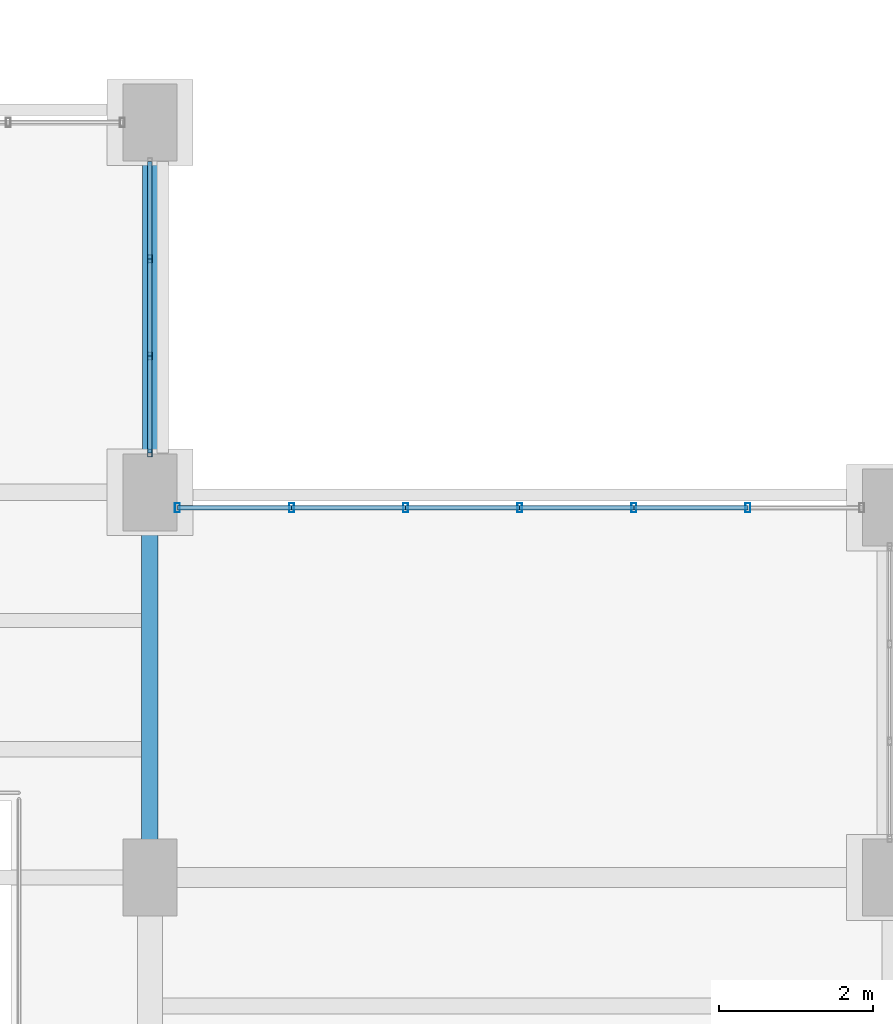
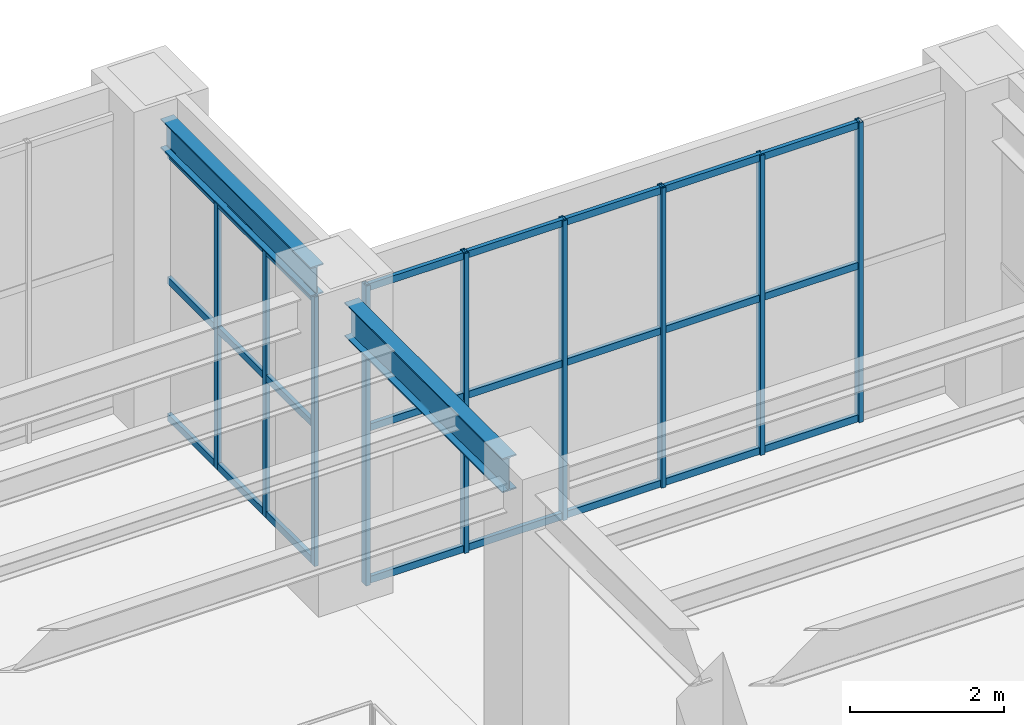
# One storey, part 114 of 174: 33 members, 2 beams, 2 elements without a shape of their own.
"""IFC4 building model written with IfcOpenShell, lengths in metres."""

import ifcopenshell
import ifcopenshell.guid

model = None  # the IFC model being written
_history = None  # IfcOwnerHistory: only IFC2X3 demands one
_inside = {}  # id of a spatial element -> (the spatial element, [elements in it])
_under = {}  # id of a project, library or spatial element -> (it, [spatial elements below it])
_declared = {}  # id of a project -> (the project, [libraries it declares])
_typed = {}  # id of a type object -> (the type object, [elements of that type])
_made_of = {}  # id of a material, layer set ... -> (it, [elements and type objects made of it])


def new_model(schema):
    """Start an empty IFC model of exactly this schema.

    Asked for "IFC4X3", IfcOpenShell would pick the latest addendum, in which some entities
    have other attributes; the version numbers below select the first issue.
    IFC2X3 requires an IfcOwnerHistory on every rooted entity: one is made here for all.
    """
    global model, _history
    if schema == "IFC4X3":
        model = ifcopenshell.file(schema_version=(4, 3, 0, 0))
    else:
        model = ifcopenshell.file(schema=schema)
    _inside.clear()
    _under.clear()
    _declared.clear()
    _typed.clear()
    _made_of.clear()
    _history = None
    if model.schema == "IFC2X3":
        org = make("IfcOrganization", Name="unknown")
        user = make(
            "IfcPersonAndOrganization",
            ThePerson=make("IfcPerson", FamilyName="unknown"),
            TheOrganization=org,
        )
        app = make(
            "IfcApplication",
            ApplicationDeveloper=org,
            Version="unknown",
            ApplicationFullName="unknown",
            ApplicationIdentifier="unknown",
        )
        _history = make(
            "IfcOwnerHistory",
            OwningUser=user,
            OwningApplication=app,
            ChangeAction="ADDED",
            CreationDate=0,
        )
    return model


def make(cls, **values):
    """One entity of the class cls with the attributes given. An attribute that is None is left unset."""
    return model.create_entity(
        cls, **{name: value for name, value in values.items() if value is not None}
    )


def rooted(cls, **values):
    """An entity with a GlobalId (a new one), such as an element, a storey or a relation."""
    return make(cls, GlobalId=ifcopenshell.guid.new(), OwnerHistory=_history, **values)


def si_unit(unit_type, name, prefix=None):
    """IfcSIUnit, for example si_unit("LENGTHUNIT", "METRE", prefix="MILLI")."""
    return make("IfcSIUnit", UnitType=unit_type, Prefix=prefix, Name=name)


def assignment(units):
    """IfcUnitAssignment: the units of a project."""
    return None if units is None else make("IfcUnitAssignment", Units=units)


def point(xyz):
    """IfcCartesianPoint."""
    return None if xyz is None else make("IfcCartesianPoint", Coordinates=xyz)


def direction(xyz):
    """IfcDirection."""
    return None if xyz is None else make("IfcDirection", DirectionRatios=xyz)


def frame(location, z_axis=None, x_axis=None):
    """IfcAxis2Placement3D, a coordinate frame: its origin and axes. An axis left out is left unset."""
    return make(
        "IfcAxis2Placement3D",
        Location=point(location),
        Axis=direction(z_axis),
        RefDirection=direction(x_axis),
    )


def frame_2d(location, x_axis=None):
    """IfcAxis2Placement2D, a coordinate frame in the plane: its origin and x axis."""
    return make(
        "IfcAxis2Placement2D", Location=point(location), RefDirection=direction(x_axis)
    )


def origin():
    """The frame at (0, 0, 0) with its axes left unset."""
    return frame((0.0, 0.0, 0.0))


def origin_2d():
    """The frame at (0, 0) in the plane with its x axis left unset."""
    return frame_2d((0.0, 0.0))


def place(relative_to, where):
    """IfcLocalPlacement: puts the frame where relative to a parent placement (None: the world)."""
    return make(
        "IfcLocalPlacement", PlacementRelTo=relative_to, RelativePlacement=where
    )


def context(
    kind, dimensions, precision=None, world=None, true_north=None, identifier=None
):
    """IfcGeometricRepresentationContext, for example the 3D "Model" context."""
    return make(
        "IfcGeometricRepresentationContext",
        ContextIdentifier=identifier,
        ContextType=kind,
        CoordinateSpaceDimension=dimensions,
        Precision=precision,
        WorldCoordinateSystem=world,
        TrueNorth=true_north,
    )


def subcontext(parent, identifier, kind, view, scale=None):
    """IfcGeometricRepresentationSubContext, for example "Body" below "Model"."""
    return make(
        "IfcGeometricRepresentationSubContext",
        ContextIdentifier=identifier,
        ContextType=kind,
        ParentContext=parent,
        TargetScale=scale,
        TargetView=view,
    )


def project(units=None, contexts=None):
    """IfcProject with its units and contexts."""
    return rooted(
        "IfcProject",
        Name="project",
        RepresentationContexts=contexts,
        UnitsInContext=assignment(units),
    )


def spatial(cls, under=None, at=None, **own):
    """A site, building, storey or space (cls), placed at a placement, below another one or the project."""
    s = rooted(cls, ObjectPlacement=at, **own)
    if under is not None:
        _under.setdefault(under.id(), (under, []))[1].append(s)
    return s


def profile(cls, at=None, kind="AREA", **sizes):
    """A parametric profile (cls). Its sizes go by their IFC names, for example OverallWidth=200.0."""
    return make(cls, ProfileType=kind, Position=at, **sizes)


def hollow_rectangle(**sizes):
    """IfcRectangleHollowProfileDef."""
    return profile("IfcRectangleHollowProfileDef", **sizes)


def i_section(**sizes):
    """IfcIShapeProfileDef."""
    return profile("IfcIShapeProfileDef", **sizes)


def extrude(swept, where, along, depth):
    """IfcExtrudedAreaSolid: the profile swept, set in the frame where, extruded along a direction by depth."""
    return make(
        "IfcExtrudedAreaSolid",
        SweptArea=swept,
        Position=where,
        ExtrudedDirection=direction(along),
        Depth=depth,
    )


def shape(context_of_items, identifier, shape_type, items):
    """IfcShapeRepresentation: the items that make up one representation, for example the "Body"."""
    return make(
        "IfcShapeRepresentation",
        ContextOfItems=context_of_items,
        RepresentationIdentifier=identifier,
        RepresentationType=shape_type,
        Items=items,
    )


def material(Name=None, Category=None):
    """IfcMaterial."""
    return make("IfcMaterial", Name=Name, Category=Category)


def material_profile(
    of_material, cross_section, Name=None, Category=None, Priority=None
):
    """IfcMaterialProfile: a cross section and its material."""
    return make(
        "IfcMaterialProfile",
        Name=Name,
        Material=of_material,
        Profile=cross_section,
        Priority=Priority,
        Category=Category,
    )


def profile_set(profiles, Name=None, composite=None):
    """IfcMaterialProfileSet."""
    return make(
        "IfcMaterialProfileSet",
        Name=Name,
        MaterialProfiles=profiles,
        CompositeProfile=composite,
    )


def made_of(thing, what):
    """Note that an element or type object is made of a material, layer set ...; save() writes the relation."""
    if what is not None:
        _made_of.setdefault(what.id(), (what, []))[1].append(thing)
    return thing


def type_object(cls, material=None, **own):
    """A type object (cls), such as IfcWallType, which elements share."""
    return made_of(rooted(cls, **own), material)


def element(
    cls,
    number,
    at=None,
    inside=None,
    cuts=None,
    type_object=None,
    material=None,
    context=None,
    identifier="Body",
    shape_type=None,
    held_by="IfcProductDefinitionShape",
    body=None,
    shapes=None,
    **own,
):
    """One element of the class cls, such as IfcWall. Its Tag is "e" and its number.

    at: its placement. inside: the storey or other place that contains it. cuts: it is an
    opening in that element (IfcRelVoidsElement). A single representation is given by context,
    identifier, shape_type and body (its items); several are given by shapes. held_by: the class
    of the entity that holds the representations. save() writes the other relations.
    """
    e = rooted(cls, Tag="e%d" % number, ObjectPlacement=at, **own)
    if body is not None:
        shapes = [shape(context, identifier, shape_type, body)]
    if shapes is not None:
        e.Representation = make(held_by, Representations=shapes)
    if inside is not None:
        _inside.setdefault(inside.id(), (inside, []))[1].append(e)
    if cuts is not None:
        rooted(
            "IfcRelVoidsElement", RelatingBuildingElement=cuts, RelatedOpeningElement=e
        )
    if type_object is not None:
        _typed.setdefault(type_object.id(), (type_object, []))[1].append(e)
    return made_of(e, material)


def aggregate(whole, parts):
    """IfcRelAggregates: a whole, such as a stair, and the parts it consists of."""
    return rooted("IfcRelAggregates", RelatingObject=whole, RelatedObjects=parts)


def save(model, path):
    """Write the relations noted so far, then the file.

    IfcRelAggregates (storeys below a building ...), IfcRelContainedInSpatialStructure (elements
    in a storey), IfcRelDefinesByType, IfcRelAssociatesMaterial and IfcRelDeclares: one each for
    every whole, place, type object, material and project.
    """
    for whole, parts in _under.values():
        aggregate(whole, parts)
    for where, things in _inside.values():
        rooted(
            "IfcRelContainedInSpatialStructure",
            RelatedElements=things,
            RelatingStructure=where,
        )
    for kind, things in _typed.values():
        rooted("IfcRelDefinesByType", RelatedObjects=things, RelatingType=kind)
    for what, things in _made_of.values():
        rooted("IfcRelAssociatesMaterial", RelatedObjects=things, RelatingMaterial=what)
    for by, libraries in _declared.values():
        rooted("IfcRelDeclares", RelatingContext=by, RelatedDefinitions=libraries)
    model.write(path)


model = new_model("IFC4")

# Units and contexts
model_context = context("Model", 3, precision=1e-05, world=origin(), true_north=direction((0.0, 1.0)))
body_context = subcontext(model_context, "Body", "Model", "MODEL_VIEW")
ifc_project = project(units=[si_unit("LENGTHUNIT", "METRE"), si_unit("AREAUNIT", "SQUARE_METRE"), si_unit("VOLUMEUNIT", "CUBIC_METRE"), si_unit("PLANEANGLEUNIT", "RADIAN"), si_unit("MASSUNIT", "GRAM", prefix="KILO")], contexts=[model_context])

# Site, building, storey
site_placement = place(None, origin())
site = spatial("IfcSite", under=ifc_project, at=site_placement, CompositionType="ELEMENT")
building_placement = place(site_placement, origin())
building = spatial("IfcBuilding", under=site, at=building_placement, Name="Mavantir Sound Aquarium", CompositionType="ELEMENT")
storey_placement = place(building_placement, frame((0.0, 0.0, 5.39990234375)))
storey = spatial("IfcBuildingStorey", under=building, at=storey_placement, Name="L01", CompositionType="ELEMENT", Elevation=5.39990234375)

# Beams
ifc_material_1 = material(Name="Structural Steel ASTM A992 Gr50", Category="steel")
ifc_material_profile_1 = material_profile(ifc_material_1, i_section(OverallWidth=0.194091796875, OverallDepth=0.468994140625, WebThickness=0.0126953125, FlangeThickness=0.0205078125, FilletRadius=0.01611328125, at=origin_2d()), Name="W460X106")
ifc_profile_set_1 = profile_set([ifc_material_profile_1], Name="Structural Steel ASTM A992 Gr50")
beam_type_1 = type_object("IfcBeamType", Name="BM-W460X106-I", PredefinedType="BEAM", material=ifc_profile_set_1)
beam_1_placement = place(storey_placement, frame((146.39990234375, 76.25, 4.54150390625), z_axis=(0.0, 1.0, 0.0), x_axis=(-1.0, 0.0, 0.0)))
element("IfcBeam", 1, at=beam_1_placement, inside=storey, type_object=beam_type_1, Name="L01 primary girder SB-46 1338", PredefinedType="BEAM", context=body_context, shape_type="SweptSolid", body=[
    extrude(i_section(OverallWidth=0.194091796875, OverallDepth=0.468994140625, WebThickness=0.0126953125, FlangeThickness=0.0205078125, FilletRadius=0.01611328125, at=origin_2d()), origin(), (0.0, 0.0, 1.0), 3.89990234375),
])
ifc_material_profile_2 = material_profile(ifc_material_1, i_section(OverallWidth=0.2119140625, OverallDepth=0.5439453125, WebThickness=0.01318359375, FlangeThickness=0.021240234375, FilletRadius=0.01806640625, at=origin_2d()), Name="W530X123")
ifc_profile_set_2 = profile_set([ifc_material_profile_2], Name="Structural Steel ASTM A992 Gr50")
beam_type_2 = type_object("IfcBeamType", Name="BM-W530X123-I", PredefinedType="BEAM", material=ifc_profile_set_2)
beam_2_placement = place(storey_placement, frame((146.39990234375, 71.25, 4.504150390625), z_axis=(0.0, 1.0, 0.0), x_axis=(-1.0, 0.0, 0.0)))
element("IfcBeam", 2, at=beam_2_placement, inside=storey, type_object=beam_type_2, Name="L01 primary girder SB-53 1337", PredefinedType="BEAM", context=body_context, shape_type="SweptSolid", body=[
    extrude(i_section(OverallWidth=0.2119140625, OverallDepth=0.5439453125, WebThickness=0.01318359375, FlangeThickness=0.021240234375, FilletRadius=0.01806640625, at=origin_2d()), origin(), (0.0, 0.0, 1.0), 4.10009765625),
])

# Curtain wall, members
ifc_material_2 = material(Name="Anodised Marine Aluminium and Low-E Glass", Category="aluminium")
curtain_wall_type_1 = type_object("IfcCurtainWallType", Name="CW-T09", PredefinedType="USERDEFINED", material=ifc_material_2)
curtain_wall_1_placement = place(storey_placement, origin())
curtain_wall_1 = element("IfcCurtainWall", 3, at=curtain_wall_1_placement, inside=storey, type_object=curtain_wall_type_1, Name="L01 unitised curtain wall CW-09 81", ObjectType="UNITISED GLAZING", PredefinedType="USERDEFINED")
ifc_material_3 = material(Name="Anodised Marine Aluminium 6063-T6", Category="aluminium")
ifc_material_profile_3 = material_profile(ifc_material_3, hollow_rectangle(XDim=0.06005859375, YDim=0.10009765625, WallThickness=0.00390625, at=origin_2d()), Name="ALU-MULLION-100X60")
ifc_profile_set_3 = profile_set([ifc_material_profile_3], Name="Anodised Marine Aluminium 6063-T6")
member_type_1 = type_object("IfcMemberType", Name="CW-MUL-100", PredefinedType="MULLION", material=ifc_profile_set_3)
member_1_placement = place(storey_placement, frame((146.39990234375, 76.30810546875, 0.0), z_axis=(0.0, 0.0, 1.0), x_axis=(1.0, 0.0, 0.0)))
member_1 = element("IfcMember", 4, at=member_1_placement, type_object=member_type_1, Name="CW-L01-081 vertical mullion 1", PredefinedType="MULLION", context=body_context, shape_type="SweptSolid", body=[
    extrude(hollow_rectangle(XDim=0.06005859375, YDim=0.10009765625, WallThickness=0.00390625, at=origin_2d()), origin(), (0.0, 0.0, 1.0), 4.277099609375),
])
member_2_placement = place(storey_placement, frame((146.39990234375, 77.5693359375, 0.0), z_axis=(0.0, 0.0, 1.0), x_axis=(1.0, 0.0, 0.0)))
member_2 = element("IfcMember", 5, at=member_2_placement, type_object=member_type_1, Name="CW-L01-081 vertical mullion 2", PredefinedType="MULLION", context=body_context, shape_type="SweptSolid", body=[
    extrude(hollow_rectangle(XDim=0.06005859375, YDim=0.10009765625, WallThickness=0.00390625, at=origin_2d()), origin(), (0.0, 0.0, 1.0), 4.277099609375),
])
member_3_placement = place(storey_placement, frame((146.39990234375, 78.830810546875, 0.0), z_axis=(0.0, 0.0, 1.0), x_axis=(1.0, 0.0, 0.0)))
member_3 = element("IfcMember", 6, at=member_3_placement, type_object=member_type_1, Name="CW-L01-081 vertical mullion 3", PredefinedType="MULLION", context=body_context, shape_type="SweptSolid", body=[
    extrude(hollow_rectangle(XDim=0.06005859375, YDim=0.10009765625, WallThickness=0.00390625, at=origin_2d()), origin(), (0.0, 0.0, 1.0), 4.277099609375),
])

curtain_wall_type_2 = type_object("IfcCurtainWallType", Name="CW-T16", PredefinedType="USERDEFINED", material=ifc_material_2)
curtain_wall_2_placement = place(storey_placement, origin())
curtain_wall_2 = element("IfcCurtainWall", 7, at=curtain_wall_2_placement, inside=storey, type_object=curtain_wall_type_2, Name="L01 unitised curtain wall CW-16 112", ObjectType="UNITISED GLAZING", PredefinedType="USERDEFINED")
ifc_material_profile_4 = material_profile(ifc_material_3, hollow_rectangle(XDim=0.06494140625, YDim=0.1201171875, WallThickness=0.00390625, at=origin_2d()), Name="ALU-MULLION-120X65")
ifc_profile_set_4 = profile_set([ifc_material_profile_4], Name="Anodised Marine Aluminium 6063-T6")
member_type_2 = type_object("IfcMemberType", Name="CW-MUL-120", PredefinedType="MULLION", material=ifc_profile_set_4)
member_4_placement = place(storey_placement, frame((154.161376953125, 75.60009765625, 0.0), z_axis=(0.0, 0.0, 1.0), x_axis=(1.0, 0.0, 0.0)))
member_4 = element("IfcMember", 8, at=member_4_placement, type_object=member_type_2, Name="CW-L01-112 vertical mullion 2", PredefinedType="MULLION", context=body_context, shape_type="SweptSolid", body=[
    extrude(hollow_rectangle(XDim=0.06494140625, YDim=0.1201171875, WallThickness=0.00390625, at=origin_2d()), origin(), (0.0, 0.0, 1.0), 4.760009765625),
])
member_5_placement = place(storey_placement, frame((152.6806640625, 75.60009765625, 0.0), z_axis=(0.0, 0.0, 1.0), x_axis=(1.0, 0.0, 0.0)))
member_5 = element("IfcMember", 9, at=member_5_placement, type_object=member_type_2, Name="CW-L01-112 vertical mullion 3", PredefinedType="MULLION", context=body_context, shape_type="SweptSolid", body=[
    extrude(hollow_rectangle(XDim=0.06494140625, YDim=0.1201171875, WallThickness=0.00390625, at=origin_2d()), origin(), (0.0, 0.0, 1.0), 4.760009765625),
])
member_6_placement = place(storey_placement, frame((151.199951171875, 75.60009765625, 0.0), z_axis=(0.0, 0.0, 1.0), x_axis=(1.0, 0.0, 0.0)))
member_6 = element("IfcMember", 10, at=member_6_placement, type_object=member_type_2, Name="CW-L01-112 vertical mullion 4", PredefinedType="MULLION", context=body_context, shape_type="SweptSolid", body=[
    extrude(hollow_rectangle(XDim=0.06494140625, YDim=0.1201171875, WallThickness=0.00390625, at=origin_2d()), origin(), (0.0, 0.0, 1.0), 4.760009765625),
])
member_7_placement = place(storey_placement, frame((149.71923828125, 75.60009765625, 0.0), z_axis=(0.0, 0.0, 1.0), x_axis=(1.0, 0.0, 0.0)))
member_7 = element("IfcMember", 11, at=member_7_placement, type_object=member_type_2, Name="CW-L01-112 vertical mullion 5", PredefinedType="MULLION", context=body_context, shape_type="SweptSolid", body=[
    extrude(hollow_rectangle(XDim=0.06494140625, YDim=0.1201171875, WallThickness=0.00390625, at=origin_2d()), origin(), (0.0, 0.0, 1.0), 4.760009765625),
])
member_8_placement = place(storey_placement, frame((148.23876953125, 75.60009765625, 0.0), z_axis=(0.0, 0.0, 1.0), x_axis=(1.0, 0.0, 0.0)))
member_8 = element("IfcMember", 12, at=member_8_placement, type_object=member_type_2, Name="CW-L01-112 vertical mullion 6", PredefinedType="MULLION", context=body_context, shape_type="SweptSolid", body=[
    extrude(hollow_rectangle(XDim=0.06494140625, YDim=0.1201171875, WallThickness=0.00390625, at=origin_2d()), origin(), (0.0, 0.0, 1.0), 4.760009765625),
])
member_9_placement = place(storey_placement, frame((146.758056640625, 75.60009765625, 0.0), z_axis=(0.0, 0.0, 1.0), x_axis=(1.0, 0.0, 0.0)))
member_9 = element("IfcMember", 13, at=member_9_placement, type_object=member_type_2, Name="CW-L01-112 vertical mullion 7", PredefinedType="MULLION", context=body_context, shape_type="SweptSolid", body=[
    extrude(hollow_rectangle(XDim=0.06494140625, YDim=0.1201171875, WallThickness=0.00390625, at=origin_2d()), origin(), (0.0, 0.0, 1.0), 4.760009765625),
])

# Member
ifc_material_profile_5 = material_profile(ifc_material_3, hollow_rectangle(XDim=0.06005859375, YDim=0.110107421875, WallThickness=0.00390625, at=origin_2d()), Name="ALU-TRANSOM-110X60")
ifc_profile_set_5 = profile_set([ifc_material_profile_5], Name="Anodised Marine Aluminium 6063-T6")
member_type_3 = type_object("IfcMemberType", Name="CW-TRN-110", PredefinedType="USERDEFINED", material=ifc_profile_set_5)
member_10_placement = place(storey_placement, frame((146.39990234375, 76.30810546875, 0.05517578125), z_axis=(0.0, 1.0, 0.0), x_axis=(-1.0, 0.0, 0.0)))
member_10 = element("IfcMember", 14, at=member_10_placement, type_object=member_type_3, Name="CW-L01-081 transom 1.1", ObjectType="TRANSOM", PredefinedType="USERDEFINED", context=body_context, shape_type="SweptSolid", body=[
    extrude(hollow_rectangle(XDim=0.06005859375, YDim=0.110107421875, WallThickness=0.00390625, at=origin_2d()), origin(), (0.0, 0.0, 1.0), 1.26123046875),
])

member_11_placement = place(storey_placement, frame((146.39990234375, 76.30810546875, 2.22412109375), z_axis=(0.0, 1.0, 0.0), x_axis=(-1.0, 0.0, 0.0)))
member_11 = element("IfcMember", 15, at=member_11_placement, type_object=member_type_3, Name="CW-L01-081 transom 1.2", ObjectType="TRANSOM", PredefinedType="USERDEFINED", context=body_context, shape_type="SweptSolid", body=[
    extrude(hollow_rectangle(XDim=0.06005859375, YDim=0.110107421875, WallThickness=0.00390625, at=origin_2d()), origin(), (0.0, 0.0, 1.0), 1.26123046875),
])

member_12_placement = place(storey_placement, frame((146.39990234375, 76.30810546875, 4.22216796875), z_axis=(0.0, 1.0, 0.0), x_axis=(-1.0, 0.0, 0.0)))
member_12 = element("IfcMember", 16, at=member_12_placement, type_object=member_type_3, Name="CW-L01-081 transom 1.3", ObjectType="TRANSOM", PredefinedType="USERDEFINED", context=body_context, shape_type="SweptSolid", body=[
    extrude(hollow_rectangle(XDim=0.06005859375, YDim=0.110107421875, WallThickness=0.00390625, at=origin_2d()), origin(), (0.0, 0.0, 1.0), 1.26123046875),
])

member_13_placement = place(storey_placement, frame((146.39990234375, 77.5693359375, 0.05517578125), z_axis=(0.0, 1.0, 0.0), x_axis=(-1.0, 0.0, 0.0)))
member_13 = element("IfcMember", 17, at=member_13_placement, type_object=member_type_3, Name="CW-L01-081 transom 2.1", ObjectType="TRANSOM", PredefinedType="USERDEFINED", context=body_context, shape_type="SweptSolid", body=[
    extrude(hollow_rectangle(XDim=0.06005859375, YDim=0.110107421875, WallThickness=0.00390625, at=origin_2d()), origin(), (0.0, 0.0, 1.0), 1.261474609375),
])

member_14_placement = place(storey_placement, frame((146.39990234375, 77.5693359375, 2.22412109375), z_axis=(0.0, 1.0, 0.0), x_axis=(-1.0, 0.0, 0.0)))
member_14 = element("IfcMember", 18, at=member_14_placement, type_object=member_type_3, Name="CW-L01-081 transom 2.2", ObjectType="TRANSOM", PredefinedType="USERDEFINED", context=body_context, shape_type="SweptSolid", body=[
    extrude(hollow_rectangle(XDim=0.06005859375, YDim=0.110107421875, WallThickness=0.00390625, at=origin_2d()), origin(), (0.0, 0.0, 1.0), 1.261474609375),
])

member_15_placement = place(storey_placement, frame((146.39990234375, 77.5693359375, 4.22216796875), z_axis=(0.0, 1.0, 0.0), x_axis=(-1.0, 0.0, 0.0)))
member_15 = element("IfcMember", 19, at=member_15_placement, type_object=member_type_3, Name="CW-L01-081 transom 2.3", ObjectType="TRANSOM", PredefinedType="USERDEFINED", context=body_context, shape_type="SweptSolid", body=[
    extrude(hollow_rectangle(XDim=0.06005859375, YDim=0.110107421875, WallThickness=0.00390625, at=origin_2d()), origin(), (0.0, 0.0, 1.0), 1.261474609375),
])

member_16_placement = place(storey_placement, frame((146.39990234375, 78.830810546875, 0.05517578125), z_axis=(0.0, 1.0, 0.0), x_axis=(-1.0, 0.0, 0.0)))
member_16 = element("IfcMember", 20, at=member_16_placement, type_object=member_type_3, Name="CW-L01-081 transom 3.1", ObjectType="TRANSOM", PredefinedType="USERDEFINED", context=body_context, shape_type="SweptSolid", body=[
    extrude(hollow_rectangle(XDim=0.06005859375, YDim=0.110107421875, WallThickness=0.00390625, at=origin_2d()), origin(), (0.0, 0.0, 1.0), 1.26123046875),
])

member_17_placement = place(storey_placement, frame((146.39990234375, 78.830810546875, 2.22412109375), z_axis=(0.0, 1.0, 0.0), x_axis=(-1.0, 0.0, 0.0)))
member_17 = element("IfcMember", 21, at=member_17_placement, type_object=member_type_3, Name="CW-L01-081 transom 3.2", ObjectType="TRANSOM", PredefinedType="USERDEFINED", context=body_context, shape_type="SweptSolid", body=[
    extrude(hollow_rectangle(XDim=0.06005859375, YDim=0.110107421875, WallThickness=0.00390625, at=origin_2d()), origin(), (0.0, 0.0, 1.0), 1.26123046875),
])

member_18_placement = place(storey_placement, frame((146.39990234375, 78.830810546875, 4.22216796875), z_axis=(0.0, 1.0, 0.0), x_axis=(-1.0, 0.0, 0.0)))
member_18 = element("IfcMember", 22, at=member_18_placement, type_object=member_type_3, Name="CW-L01-081 transom 3.3", ObjectType="TRANSOM", PredefinedType="USERDEFINED", context=body_context, shape_type="SweptSolid", body=[
    extrude(hollow_rectangle(XDim=0.06005859375, YDim=0.110107421875, WallThickness=0.00390625, at=origin_2d()), origin(), (0.0, 0.0, 1.0), 1.26123046875),
])

aggregate(curtain_wall_1, [member_1, member_2, member_3, member_10, member_11, member_12, member_13, member_14, member_15, member_16, member_17, member_18])

member_19_placement = place(storey_placement, frame((154.161376953125, 75.60009765625, 0.05517578125), z_axis=(-1.0, 0.0, 0.0), x_axis=(0.0, -1.0, 0.0)))
member_19 = element("IfcMember", 23, at=member_19_placement, type_object=member_type_3, Name="CW-L01-112 transom 2.1", ObjectType="TRANSOM", PredefinedType="USERDEFINED", context=body_context, shape_type="SweptSolid", body=[
    extrude(hollow_rectangle(XDim=0.06005859375, YDim=0.110107421875, WallThickness=0.00390625, at=origin_2d()), origin(), (0.0, 0.0, 1.0), 1.480712890625),
])

member_20_placement = place(storey_placement, frame((154.161376953125, 75.60009765625, 2.475341796875), z_axis=(-1.0, 0.0, 0.0), x_axis=(0.0, -1.0, 0.0)))
member_20 = element("IfcMember", 24, at=member_20_placement, type_object=member_type_3, Name="CW-L01-112 transom 2.2", ObjectType="TRANSOM", PredefinedType="USERDEFINED", context=body_context, shape_type="SweptSolid", body=[
    extrude(hollow_rectangle(XDim=0.06005859375, YDim=0.110107421875, WallThickness=0.00390625, at=origin_2d()), origin(), (0.0, 0.0, 1.0), 1.480712890625),
])

member_21_placement = place(storey_placement, frame((154.161376953125, 75.60009765625, 4.705078125), z_axis=(-1.0, 0.0, 0.0), x_axis=(0.0, -1.0, 0.0)))
member_21 = element("IfcMember", 25, at=member_21_placement, type_object=member_type_3, Name="CW-L01-112 transom 2.3", ObjectType="TRANSOM", PredefinedType="USERDEFINED", context=body_context, shape_type="SweptSolid", body=[
    extrude(hollow_rectangle(XDim=0.06005859375, YDim=0.110107421875, WallThickness=0.00390625, at=origin_2d()), origin(), (0.0, 0.0, 1.0), 1.480712890625),
])

member_22_placement = place(storey_placement, frame((152.6806640625, 75.60009765625, 0.05517578125), z_axis=(-1.0, 0.0, 0.0), x_axis=(0.0, -1.0, 0.0)))
member_22 = element("IfcMember", 26, at=member_22_placement, type_object=member_type_3, Name="CW-L01-112 transom 3.1", ObjectType="TRANSOM", PredefinedType="USERDEFINED", context=body_context, shape_type="SweptSolid", body=[
    extrude(hollow_rectangle(XDim=0.06005859375, YDim=0.110107421875, WallThickness=0.00390625, at=origin_2d()), origin(), (0.0, 0.0, 1.0), 1.480712890625),
])

member_23_placement = place(storey_placement, frame((152.6806640625, 75.60009765625, 2.475341796875), z_axis=(-1.0, 0.0, 0.0), x_axis=(0.0, -1.0, 0.0)))
member_23 = element("IfcMember", 27, at=member_23_placement, type_object=member_type_3, Name="CW-L01-112 transom 3.2", ObjectType="TRANSOM", PredefinedType="USERDEFINED", context=body_context, shape_type="SweptSolid", body=[
    extrude(hollow_rectangle(XDim=0.06005859375, YDim=0.110107421875, WallThickness=0.00390625, at=origin_2d()), origin(), (0.0, 0.0, 1.0), 1.480712890625),
])

member_24_placement = place(storey_placement, frame((152.6806640625, 75.60009765625, 4.705078125), z_axis=(-1.0, 0.0, 0.0), x_axis=(0.0, -1.0, 0.0)))
member_24 = element("IfcMember", 28, at=member_24_placement, type_object=member_type_3, Name="CW-L01-112 transom 3.3", ObjectType="TRANSOM", PredefinedType="USERDEFINED", context=body_context, shape_type="SweptSolid", body=[
    extrude(hollow_rectangle(XDim=0.06005859375, YDim=0.110107421875, WallThickness=0.00390625, at=origin_2d()), origin(), (0.0, 0.0, 1.0), 1.480712890625),
])

member_25_placement = place(storey_placement, frame((151.199951171875, 75.60009765625, 0.05517578125), z_axis=(-1.0, 0.0, 0.0), x_axis=(0.0, -1.0, 0.0)))
member_25 = element("IfcMember", 29, at=member_25_placement, type_object=member_type_3, Name="CW-L01-112 transom 4.1", ObjectType="TRANSOM", PredefinedType="USERDEFINED", context=body_context, shape_type="SweptSolid", body=[
    extrude(hollow_rectangle(XDim=0.06005859375, YDim=0.110107421875, WallThickness=0.00390625, at=origin_2d()), origin(), (0.0, 0.0, 1.0), 1.480712890625),
])

member_26_placement = place(storey_placement, frame((151.199951171875, 75.60009765625, 2.475341796875), z_axis=(-1.0, 0.0, 0.0), x_axis=(0.0, -1.0, 0.0)))
member_26 = element("IfcMember", 30, at=member_26_placement, type_object=member_type_3, Name="CW-L01-112 transom 4.2", ObjectType="TRANSOM", PredefinedType="USERDEFINED", context=body_context, shape_type="SweptSolid", body=[
    extrude(hollow_rectangle(XDim=0.06005859375, YDim=0.110107421875, WallThickness=0.00390625, at=origin_2d()), origin(), (0.0, 0.0, 1.0), 1.480712890625),
])

member_27_placement = place(storey_placement, frame((151.199951171875, 75.60009765625, 4.705078125), z_axis=(-1.0, 0.0, 0.0), x_axis=(0.0, -1.0, 0.0)))
member_27 = element("IfcMember", 31, at=member_27_placement, type_object=member_type_3, Name="CW-L01-112 transom 4.3", ObjectType="TRANSOM", PredefinedType="USERDEFINED", context=body_context, shape_type="SweptSolid", body=[
    extrude(hollow_rectangle(XDim=0.06005859375, YDim=0.110107421875, WallThickness=0.00390625, at=origin_2d()), origin(), (0.0, 0.0, 1.0), 1.480712890625),
])

member_28_placement = place(storey_placement, frame((149.71923828125, 75.60009765625, 0.05517578125), z_axis=(-1.0, 0.0, 0.0), x_axis=(0.0, -1.0, 0.0)))
member_28 = element("IfcMember", 32, at=member_28_placement, type_object=member_type_3, Name="CW-L01-112 transom 5.1", ObjectType="TRANSOM", PredefinedType="USERDEFINED", context=body_context, shape_type="SweptSolid", body=[
    extrude(hollow_rectangle(XDim=0.06005859375, YDim=0.110107421875, WallThickness=0.00390625, at=origin_2d()), origin(), (0.0, 0.0, 1.0), 1.48046875),
])

member_29_placement = place(storey_placement, frame((149.71923828125, 75.60009765625, 2.475341796875), z_axis=(-1.0, 0.0, 0.0), x_axis=(0.0, -1.0, 0.0)))
member_29 = element("IfcMember", 33, at=member_29_placement, type_object=member_type_3, Name="CW-L01-112 transom 5.2", ObjectType="TRANSOM", PredefinedType="USERDEFINED", context=body_context, shape_type="SweptSolid", body=[
    extrude(hollow_rectangle(XDim=0.06005859375, YDim=0.110107421875, WallThickness=0.00390625, at=origin_2d()), origin(), (0.0, 0.0, 1.0), 1.48046875),
])

member_30_placement = place(storey_placement, frame((149.71923828125, 75.60009765625, 4.705078125), z_axis=(-1.0, 0.0, 0.0), x_axis=(0.0, -1.0, 0.0)))
member_30 = element("IfcMember", 34, at=member_30_placement, type_object=member_type_3, Name="CW-L01-112 transom 5.3", ObjectType="TRANSOM", PredefinedType="USERDEFINED", context=body_context, shape_type="SweptSolid", body=[
    extrude(hollow_rectangle(XDim=0.06005859375, YDim=0.110107421875, WallThickness=0.00390625, at=origin_2d()), origin(), (0.0, 0.0, 1.0), 1.48046875),
])

member_31_placement = place(storey_placement, frame((148.23876953125, 75.60009765625, 0.05517578125), z_axis=(-1.0, 0.0, 0.0), x_axis=(0.0, -1.0, 0.0)))
member_31 = element("IfcMember", 35, at=member_31_placement, type_object=member_type_3, Name="CW-L01-112 transom 6.1", ObjectType="TRANSOM", PredefinedType="USERDEFINED", context=body_context, shape_type="SweptSolid", body=[
    extrude(hollow_rectangle(XDim=0.06005859375, YDim=0.110107421875, WallThickness=0.00390625, at=origin_2d()), origin(), (0.0, 0.0, 1.0), 1.480712890625),
])

member_32_placement = place(storey_placement, frame((148.23876953125, 75.60009765625, 2.475341796875), z_axis=(-1.0, 0.0, 0.0), x_axis=(0.0, -1.0, 0.0)))
member_32 = element("IfcMember", 36, at=member_32_placement, type_object=member_type_3, Name="CW-L01-112 transom 6.2", ObjectType="TRANSOM", PredefinedType="USERDEFINED", context=body_context, shape_type="SweptSolid", body=[
    extrude(hollow_rectangle(XDim=0.06005859375, YDim=0.110107421875, WallThickness=0.00390625, at=origin_2d()), origin(), (0.0, 0.0, 1.0), 1.480712890625),
])

member_33_placement = place(storey_placement, frame((148.23876953125, 75.60009765625, 4.705078125), z_axis=(-1.0, 0.0, 0.0), x_axis=(0.0, -1.0, 0.0)))
member_33 = element("IfcMember", 37, at=member_33_placement, type_object=member_type_3, Name="CW-L01-112 transom 6.3", ObjectType="TRANSOM", PredefinedType="USERDEFINED", context=body_context, shape_type="SweptSolid", body=[
    extrude(hollow_rectangle(XDim=0.06005859375, YDim=0.110107421875, WallThickness=0.00390625, at=origin_2d()), origin(), (0.0, 0.0, 1.0), 1.480712890625),
])

aggregate(curtain_wall_2, [member_4, member_5, member_6, member_7, member_8, member_9, member_19, member_20, member_21, member_22, member_23, member_24, member_25, member_26, member_27, member_28, member_29, member_30, member_31, member_32, member_33])

save(model, "model.ifc")
